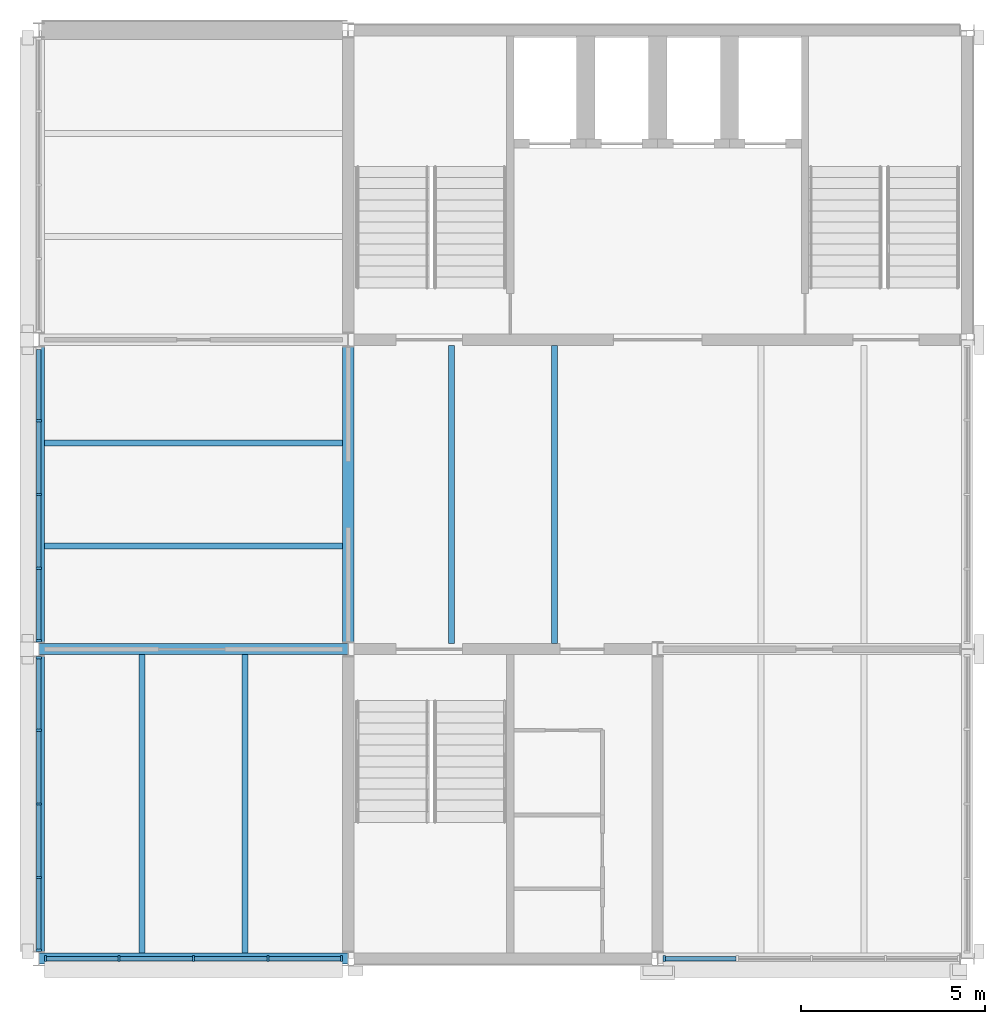
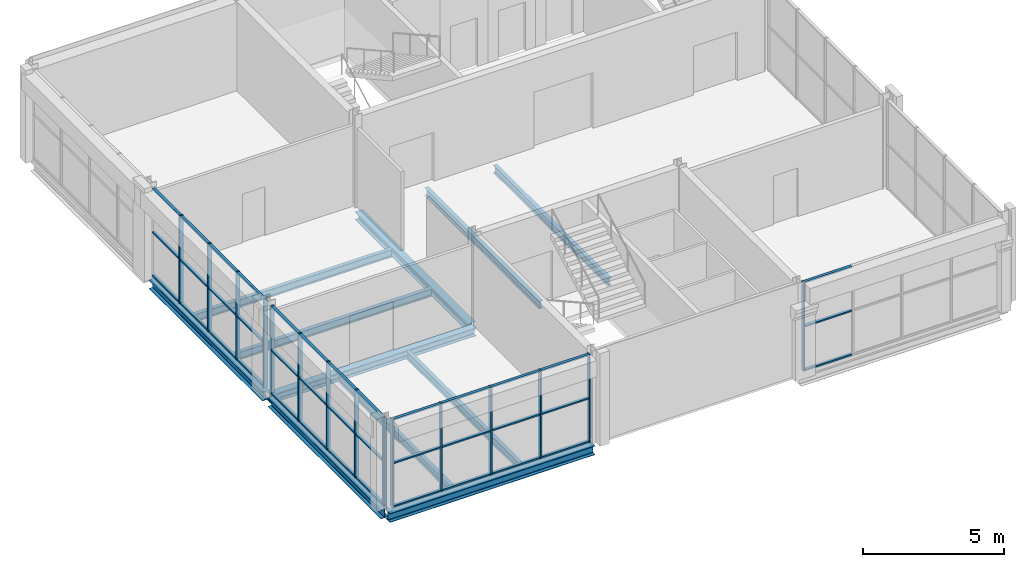
# One storey, part 2 of 8: 54 members, 11 beams, 4 elements without a shape of their own.
"""IFC4 building model written with IfcOpenShell, lengths in metres."""

from ifc_helpers import new_model, si_unit, direction, frame, origin, origin_2d, place, context, subcontext, project, spatial, rectangle, i_section, extrude, material, layer, layer_set, material_profile, profile_set, type_object, element, aggregate, save


model = new_model("IFC4")

# Units and contexts
model_context = context("Model", 3, precision=1e-05, world=origin(), true_north=direction((0.0, 1.0)))
body_context = subcontext(model_context, "Body", "Model", "MODEL_VIEW")
ifc_project = project(units=[si_unit("LENGTHUNIT", "METRE"), si_unit("AREAUNIT", "SQUARE_METRE"), si_unit("VOLUMEUNIT", "CUBIC_METRE"), si_unit("PLANEANGLEUNIT", "RADIAN"), si_unit("MASSUNIT", "GRAM", prefix="KILO")], contexts=[model_context])

# Site, building, storey
site_placement = place(None, origin())
site = spatial("IfcSite", under=ifc_project, at=site_placement, CompositionType="ELEMENT")
building_placement = place(site_placement, origin())
building = spatial("IfcBuilding", under=site, at=building_placement, Name="Galleria Vessillo Department Store", CompositionType="ELEMENT")
storey_placement = place(building_placement, frame((0.0, 0.0, 55.60009765625)))
storey = spatial("IfcBuildingStorey", under=building, at=storey_placement, Name="L12", CompositionType="ELEMENT", Elevation=55.60009765625)

# Curtain wall, members
ifc_material_1 = material(Name="Aluminium and glass curtain wall", Category="aluminium")
ifc_layer = layer(ifc_material_1, 0.159912109375)
ifc_layer_set = layer_set([ifc_layer], Name="Aluminium and glass curtain wall")
curtain_wall_type = type_object("IfcCurtainWallType", Name="Tower curtain wall CW4 2100 module", PredefinedType="NOTDEFINED", material=ifc_layer_set)
curtain_wall_1_placement = place(storey_placement, origin())
curtain_wall_1 = element("IfcCurtainWall", 1, at=curtain_wall_1_placement, inside=storey, type_object=curtain_wall_type, Name="Tower curtain wall CW4 2100 module TW-L12-01", PredefinedType="NOTDEFINED")
ifc_material_2 = material(Name="Aluminium alloy 6063 T6", Category="aluminium")
ifc_material_profile_1 = material_profile(ifc_material_2, rectangle(XDim=0.159912109375, YDim=0.06005859375, at=origin_2d()), Name="AL 60x160")
ifc_profile_set_1 = profile_set([ifc_material_profile_1], Name="Aluminium alloy 6063 T6")
member_type_1 = type_object("IfcMemberType", Name="Aluminium mullion 60 x 160", PredefinedType="MULLION", material=ifc_profile_set_1)
member_1_placement = place(storey_placement, frame((92.39990234375, 38.030029296875, 0.0), z_axis=(0.0, 0.0, 1.0), x_axis=(-1.0, 0.0, 0.0)))
member_1 = element("IfcMember", 2, at=member_1_placement, type_object=member_type_1, Name="CW4 mullion 1", PredefinedType="MULLION", context=body_context, shape_type="SweptSolid", body=[
    extrude(rectangle(XDim=0.159912109375, YDim=0.06005859375, at=origin_2d()), origin(), (0.0, 0.0, 1.0), 3.800048828125),
])
member_2_placement = place(storey_placement, frame((92.39990234375, 40.0, 0.0), z_axis=(0.0, 0.0, 1.0), x_axis=(-1.0, 0.0, 0.0)))
member_2 = element("IfcMember", 3, at=member_2_placement, type_object=member_type_1, Name="CW4 mullion 2", PredefinedType="MULLION", context=body_context, shape_type="SweptSolid", body=[
    extrude(rectangle(XDim=0.159912109375, YDim=0.06005859375, at=origin_2d()), origin(), (0.0, 0.0, 1.0), 3.800048828125),
])
member_3_placement = place(storey_placement, frame((92.39990234375, 42.0, 0.0), z_axis=(0.0, 0.0, 1.0), x_axis=(-1.0, 0.0, 0.0)))
member_3 = element("IfcMember", 4, at=member_3_placement, type_object=member_type_1, Name="CW4 mullion 3", PredefinedType="MULLION", context=body_context, shape_type="SweptSolid", body=[
    extrude(rectangle(XDim=0.159912109375, YDim=0.06005859375, at=origin_2d()), origin(), (0.0, 0.0, 1.0), 3.800048828125),
])
member_4_placement = place(storey_placement, frame((92.39990234375, 44.0, 0.0), z_axis=(0.0, 0.0, 1.0), x_axis=(-1.0, 0.0, 0.0)))
member_4 = element("IfcMember", 5, at=member_4_placement, type_object=member_type_1, Name="CW4 mullion 4", PredefinedType="MULLION", context=body_context, shape_type="SweptSolid", body=[
    extrude(rectangle(XDim=0.159912109375, YDim=0.06005859375, at=origin_2d()), origin(), (0.0, 0.0, 1.0), 3.800048828125),
])
member_5_placement = place(storey_placement, frame((92.39990234375, 45.969970703125, 0.0), z_axis=(0.0, 0.0, 1.0), x_axis=(-1.0, 0.0, 0.0)))
member_5 = element("IfcMember", 6, at=member_5_placement, type_object=member_type_1, Name="CW4 mullion 5", PredefinedType="MULLION", context=body_context, shape_type="SweptSolid", body=[
    extrude(rectangle(XDim=0.159912109375, YDim=0.06005859375, at=origin_2d()), origin(), (0.0, 0.0, 1.0), 3.800048828125),
])

curtain_wall_2_placement = place(storey_placement, origin())
curtain_wall_2 = element("IfcCurtainWall", 7, at=curtain_wall_2_placement, inside=storey, type_object=curtain_wall_type, Name="Tower curtain wall CW4 2100 module TW-L12-02", PredefinedType="NOTDEFINED")
member_6_placement = place(storey_placement, frame((92.39990234375, 46.429931640625, 0.0), z_axis=(0.0, 0.0, 1.0), x_axis=(-1.0, 0.0, 0.0)))
member_6 = element("IfcMember", 8, at=member_6_placement, type_object=member_type_1, Name="CW4 mullion 1", PredefinedType="MULLION", context=body_context, shape_type="SweptSolid", body=[
    extrude(rectangle(XDim=0.159912109375, YDim=0.06005859375, at=origin_2d()), origin(), (0.0, 0.0, 1.0), 3.800048828125),
])
member_7_placement = place(storey_placement, frame((92.39990234375, 48.39990234375, 0.0), z_axis=(0.0, 0.0, 1.0), x_axis=(-1.0, 0.0, 0.0)))
member_7 = element("IfcMember", 9, at=member_7_placement, type_object=member_type_1, Name="CW4 mullion 2", PredefinedType="MULLION", context=body_context, shape_type="SweptSolid", body=[
    extrude(rectangle(XDim=0.159912109375, YDim=0.06005859375, at=origin_2d()), origin(), (0.0, 0.0, 1.0), 3.800048828125),
])
member_8_placement = place(storey_placement, frame((92.39990234375, 50.39990234375, 0.0), z_axis=(0.0, 0.0, 1.0), x_axis=(-1.0, 0.0, 0.0)))
member_8 = element("IfcMember", 10, at=member_8_placement, type_object=member_type_1, Name="CW4 mullion 3", PredefinedType="MULLION", context=body_context, shape_type="SweptSolid", body=[
    extrude(rectangle(XDim=0.159912109375, YDim=0.06005859375, at=origin_2d()), origin(), (0.0, 0.0, 1.0), 3.800048828125),
])
member_9_placement = place(storey_placement, frame((92.39990234375, 52.400146484375, 0.0), z_axis=(0.0, 0.0, 1.0), x_axis=(-1.0, 0.0, 0.0)))
member_9 = element("IfcMember", 11, at=member_9_placement, type_object=member_type_1, Name="CW4 mullion 4", PredefinedType="MULLION", context=body_context, shape_type="SweptSolid", body=[
    extrude(rectangle(XDim=0.159912109375, YDim=0.06005859375, at=origin_2d()), origin(), (0.0, 0.0, 1.0), 3.800048828125),
])

curtain_wall_3_placement = place(storey_placement, origin())
curtain_wall_3 = element("IfcCurtainWall", 12, at=curtain_wall_3_placement, inside=storey, type_object=curtain_wall_type, Name="Tower curtain wall CW4 2100 module TS-L12-01", PredefinedType="NOTDEFINED")
member_10_placement = place(storey_placement, frame((92.579833984375, 37.800048828125, 0.0), z_axis=(0.0, 0.0, 1.0), x_axis=(0.0, 1.0, 0.0)))
member_10 = element("IfcMember", 13, at=member_10_placement, type_object=member_type_1, Name="CW4 mullion 1", PredefinedType="MULLION", context=body_context, shape_type="SweptSolid", body=[
    extrude(rectangle(XDim=0.159912109375, YDim=0.06005859375, at=origin_2d()), origin(), (0.0, 0.0, 1.0), 3.800048828125),
])
member_11_placement = place(storey_placement, frame((94.574951171875, 37.800048828125, 0.0), z_axis=(0.0, 0.0, 1.0), x_axis=(0.0, 1.0, 0.0)))
member_11 = element("IfcMember", 14, at=member_11_placement, type_object=member_type_1, Name="CW4 mullion 2", PredefinedType="MULLION", context=body_context, shape_type="SweptSolid", body=[
    extrude(rectangle(XDim=0.159912109375, YDim=0.06005859375, at=origin_2d()), origin(), (0.0, 0.0, 1.0), 3.800048828125),
])
member_12_placement = place(storey_placement, frame((96.60009765625, 37.800048828125, 0.0), z_axis=(0.0, 0.0, 1.0), x_axis=(0.0, 1.0, 0.0)))
member_12 = element("IfcMember", 15, at=member_12_placement, type_object=member_type_1, Name="CW4 mullion 3", PredefinedType="MULLION", context=body_context, shape_type="SweptSolid", body=[
    extrude(rectangle(XDim=0.159912109375, YDim=0.06005859375, at=origin_2d()), origin(), (0.0, 0.0, 1.0), 3.800048828125),
])
member_13_placement = place(storey_placement, frame((98.625, 37.800048828125, 0.0), z_axis=(0.0, 0.0, 1.0), x_axis=(0.0, 1.0, 0.0)))
member_13 = element("IfcMember", 16, at=member_13_placement, type_object=member_type_1, Name="CW4 mullion 4", PredefinedType="MULLION", context=body_context, shape_type="SweptSolid", body=[
    extrude(rectangle(XDim=0.159912109375, YDim=0.06005859375, at=origin_2d()), origin(), (0.0, 0.0, 1.0), 3.800048828125),
])
member_14_placement = place(storey_placement, frame((100.6201171875, 37.800048828125, 0.0), z_axis=(0.0, 0.0, 1.0), x_axis=(0.0, 1.0, 0.0)))
member_14 = element("IfcMember", 17, at=member_14_placement, type_object=member_type_1, Name="CW4 mullion 5", PredefinedType="MULLION", context=body_context, shape_type="SweptSolid", body=[
    extrude(rectangle(XDim=0.159912109375, YDim=0.06005859375, at=origin_2d()), origin(), (0.0, 0.0, 1.0), 3.800048828125),
])

# Curtain wall, member
curtain_wall_4_placement = place(storey_placement, origin())
curtain_wall_4 = element("IfcCurtainWall", 18, at=curtain_wall_4_placement, inside=storey, type_object=curtain_wall_type, Name="Tower curtain wall CW4 2100 module TS-L12-02", PredefinedType="NOTDEFINED")
member_15_placement = place(storey_placement, frame((109.3798828125, 37.800048828125, 0.0), z_axis=(0.0, 0.0, 1.0), x_axis=(0.0, 1.0, 0.0)))
member_15 = element("IfcMember", 19, at=member_15_placement, type_object=member_type_1, Name="CW4 mullion 1", PredefinedType="MULLION", context=body_context, shape_type="SweptSolid", body=[
    extrude(rectangle(XDim=0.159912109375, YDim=0.06005859375, at=origin_2d()), origin(), (0.0, 0.0, 1.0), 3.85009765625),
])

# Member
ifc_material_3 = material(Name="Aluminium alloy 6063 T6", Category="aluminium")
ifc_material_profile_2 = material_profile(ifc_material_3, rectangle(XDim=0.1201171875, YDim=0.06005859375, at=origin_2d()), Name="AL 60x120")
ifc_profile_set_2 = profile_set([ifc_material_profile_2], Name="Aluminium alloy 6063 T6")
member_type_2 = type_object("IfcMemberType", Name="Aluminium transom 60 x 120", PredefinedType="USERDEFINED", material=ifc_profile_set_2)
member_16_placement = place(storey_placement, frame((92.39990234375, 38.06005859375, 0.030029296875), z_axis=(0.0, 1.0, 0.0), x_axis=(-1.0, 0.0, 0.0)))
member_16 = element("IfcMember", 20, at=member_16_placement, type_object=member_type_2, Name="CW4 transom 1.1", ObjectType="TRANSOM", PredefinedType="USERDEFINED", context=body_context, shape_type="SweptSolid", body=[
    extrude(rectangle(XDim=0.1201171875, YDim=0.06005859375, at=origin_2d()), origin(), (0.0, 0.0, 1.0), 1.909912109375),
])

member_17_placement = place(storey_placement, frame((92.39990234375, 38.06005859375, 1.89990234375), z_axis=(0.0, 1.0, 0.0), x_axis=(-1.0, 0.0, 0.0)))
member_17 = element("IfcMember", 21, at=member_17_placement, type_object=member_type_2, Name="CW4 transom 1.2", ObjectType="TRANSOM", PredefinedType="USERDEFINED", context=body_context, shape_type="SweptSolid", body=[
    extrude(rectangle(XDim=0.1201171875, YDim=0.06005859375, at=origin_2d()), origin(), (0.0, 0.0, 1.0), 1.909912109375),
])

member_18_placement = place(storey_placement, frame((92.39990234375, 38.06005859375, 3.77001953125), z_axis=(0.0, 1.0, 0.0), x_axis=(-1.0, 0.0, 0.0)))
member_18 = element("IfcMember", 22, at=member_18_placement, type_object=member_type_2, Name="CW4 transom 1.3", ObjectType="TRANSOM", PredefinedType="USERDEFINED", context=body_context, shape_type="SweptSolid", body=[
    extrude(rectangle(XDim=0.1201171875, YDim=0.06005859375, at=origin_2d()), origin(), (0.0, 0.0, 1.0), 1.909912109375),
])

member_19_placement = place(storey_placement, frame((92.39990234375, 40.030029296875, 0.030029296875), z_axis=(0.0, 1.0, 0.0), x_axis=(-1.0, 0.0, 0.0)))
member_19 = element("IfcMember", 23, at=member_19_placement, type_object=member_type_2, Name="CW4 transom 2.1", ObjectType="TRANSOM", PredefinedType="USERDEFINED", context=body_context, shape_type="SweptSolid", body=[
    extrude(rectangle(XDim=0.1201171875, YDim=0.06005859375, at=origin_2d()), origin(), (0.0, 0.0, 1.0), 1.93994140625),
])

member_20_placement = place(storey_placement, frame((92.39990234375, 40.030029296875, 1.89990234375), z_axis=(0.0, 1.0, 0.0), x_axis=(-1.0, 0.0, 0.0)))
member_20 = element("IfcMember", 24, at=member_20_placement, type_object=member_type_2, Name="CW4 transom 2.2", ObjectType="TRANSOM", PredefinedType="USERDEFINED", context=body_context, shape_type="SweptSolid", body=[
    extrude(rectangle(XDim=0.1201171875, YDim=0.06005859375, at=origin_2d()), origin(), (0.0, 0.0, 1.0), 1.93994140625),
])

member_21_placement = place(storey_placement, frame((92.39990234375, 40.030029296875, 3.77001953125), z_axis=(0.0, 1.0, 0.0), x_axis=(-1.0, 0.0, 0.0)))
member_21 = element("IfcMember", 25, at=member_21_placement, type_object=member_type_2, Name="CW4 transom 2.3", ObjectType="TRANSOM", PredefinedType="USERDEFINED", context=body_context, shape_type="SweptSolid", body=[
    extrude(rectangle(XDim=0.1201171875, YDim=0.06005859375, at=origin_2d()), origin(), (0.0, 0.0, 1.0), 1.93994140625),
])

member_22_placement = place(storey_placement, frame((92.39990234375, 42.030029296875, 0.030029296875), z_axis=(0.0, 1.0, 0.0), x_axis=(-1.0, 0.0, 0.0)))
member_22 = element("IfcMember", 26, at=member_22_placement, type_object=member_type_2, Name="CW4 transom 3.1", ObjectType="TRANSOM", PredefinedType="USERDEFINED", context=body_context, shape_type="SweptSolid", body=[
    extrude(rectangle(XDim=0.1201171875, YDim=0.06005859375, at=origin_2d()), origin(), (0.0, 0.0, 1.0), 1.93994140625),
])

member_23_placement = place(storey_placement, frame((92.39990234375, 42.030029296875, 1.89990234375), z_axis=(0.0, 1.0, 0.0), x_axis=(-1.0, 0.0, 0.0)))
member_23 = element("IfcMember", 27, at=member_23_placement, type_object=member_type_2, Name="CW4 transom 3.2", ObjectType="TRANSOM", PredefinedType="USERDEFINED", context=body_context, shape_type="SweptSolid", body=[
    extrude(rectangle(XDim=0.1201171875, YDim=0.06005859375, at=origin_2d()), origin(), (0.0, 0.0, 1.0), 1.93994140625),
])

member_24_placement = place(storey_placement, frame((92.39990234375, 42.030029296875, 3.77001953125), z_axis=(0.0, 1.0, 0.0), x_axis=(-1.0, 0.0, 0.0)))
member_24 = element("IfcMember", 28, at=member_24_placement, type_object=member_type_2, Name="CW4 transom 3.3", ObjectType="TRANSOM", PredefinedType="USERDEFINED", context=body_context, shape_type="SweptSolid", body=[
    extrude(rectangle(XDim=0.1201171875, YDim=0.06005859375, at=origin_2d()), origin(), (0.0, 0.0, 1.0), 1.93994140625),
])

member_25_placement = place(storey_placement, frame((92.39990234375, 44.030029296875, 0.030029296875), z_axis=(0.0, 1.0, 0.0), x_axis=(-1.0, 0.0, 0.0)))
member_25 = element("IfcMember", 29, at=member_25_placement, type_object=member_type_2, Name="CW4 transom 4.1", ObjectType="TRANSOM", PredefinedType="USERDEFINED", context=body_context, shape_type="SweptSolid", body=[
    extrude(rectangle(XDim=0.1201171875, YDim=0.06005859375, at=origin_2d()), origin(), (0.0, 0.0, 1.0), 1.909912109375),
])

member_26_placement = place(storey_placement, frame((92.39990234375, 44.030029296875, 1.89990234375), z_axis=(0.0, 1.0, 0.0), x_axis=(-1.0, 0.0, 0.0)))
member_26 = element("IfcMember", 30, at=member_26_placement, type_object=member_type_2, Name="CW4 transom 4.2", ObjectType="TRANSOM", PredefinedType="USERDEFINED", context=body_context, shape_type="SweptSolid", body=[
    extrude(rectangle(XDim=0.1201171875, YDim=0.06005859375, at=origin_2d()), origin(), (0.0, 0.0, 1.0), 1.909912109375),
])

member_27_placement = place(storey_placement, frame((92.39990234375, 44.030029296875, 3.77001953125), z_axis=(0.0, 1.0, 0.0), x_axis=(-1.0, 0.0, 0.0)))
member_27 = element("IfcMember", 31, at=member_27_placement, type_object=member_type_2, Name="CW4 transom 4.3", ObjectType="TRANSOM", PredefinedType="USERDEFINED", context=body_context, shape_type="SweptSolid", body=[
    extrude(rectangle(XDim=0.1201171875, YDim=0.06005859375, at=origin_2d()), origin(), (0.0, 0.0, 1.0), 1.909912109375),
])

aggregate(curtain_wall_1, [member_1, member_2, member_3, member_4, member_5, member_16, member_17, member_18, member_19, member_20, member_21, member_22, member_23, member_24, member_25, member_26, member_27])

member_28_placement = place(storey_placement, frame((92.39990234375, 46.4599609375, 0.030029296875), z_axis=(0.0, 1.0, 0.0), x_axis=(-1.0, 0.0, 0.0)))
member_28 = element("IfcMember", 32, at=member_28_placement, type_object=member_type_2, Name="CW4 transom 1.1", ObjectType="TRANSOM", PredefinedType="USERDEFINED", context=body_context, shape_type="SweptSolid", body=[
    extrude(rectangle(XDim=0.1201171875, YDim=0.06005859375, at=origin_2d()), origin(), (0.0, 0.0, 1.0), 1.909912109375),
])

member_29_placement = place(storey_placement, frame((92.39990234375, 46.4599609375, 1.89990234375), z_axis=(0.0, 1.0, 0.0), x_axis=(-1.0, 0.0, 0.0)))
member_29 = element("IfcMember", 33, at=member_29_placement, type_object=member_type_2, Name="CW4 transom 1.2", ObjectType="TRANSOM", PredefinedType="USERDEFINED", context=body_context, shape_type="SweptSolid", body=[
    extrude(rectangle(XDim=0.1201171875, YDim=0.06005859375, at=origin_2d()), origin(), (0.0, 0.0, 1.0), 1.909912109375),
])

member_30_placement = place(storey_placement, frame((92.39990234375, 46.4599609375, 3.77001953125), z_axis=(0.0, 1.0, 0.0), x_axis=(-1.0, 0.0, 0.0)))
member_30 = element("IfcMember", 34, at=member_30_placement, type_object=member_type_2, Name="CW4 transom 1.3", ObjectType="TRANSOM", PredefinedType="USERDEFINED", context=body_context, shape_type="SweptSolid", body=[
    extrude(rectangle(XDim=0.1201171875, YDim=0.06005859375, at=origin_2d()), origin(), (0.0, 0.0, 1.0), 1.909912109375),
])

member_31_placement = place(storey_placement, frame((92.39990234375, 48.429931640625, 0.030029296875), z_axis=(0.0, 1.0, 0.0), x_axis=(-1.0, 0.0, 0.0)))
member_31 = element("IfcMember", 35, at=member_31_placement, type_object=member_type_2, Name="CW4 transom 2.1", ObjectType="TRANSOM", PredefinedType="USERDEFINED", context=body_context, shape_type="SweptSolid", body=[
    extrude(rectangle(XDim=0.1201171875, YDim=0.06005859375, at=origin_2d()), origin(), (0.0, 0.0, 1.0), 1.940185546875),
])

member_32_placement = place(storey_placement, frame((92.39990234375, 48.429931640625, 1.89990234375), z_axis=(0.0, 1.0, 0.0), x_axis=(-1.0, 0.0, 0.0)))
member_32 = element("IfcMember", 36, at=member_32_placement, type_object=member_type_2, Name="CW4 transom 2.2", ObjectType="TRANSOM", PredefinedType="USERDEFINED", context=body_context, shape_type="SweptSolid", body=[
    extrude(rectangle(XDim=0.1201171875, YDim=0.06005859375, at=origin_2d()), origin(), (0.0, 0.0, 1.0), 1.940185546875),
])

member_33_placement = place(storey_placement, frame((92.39990234375, 48.429931640625, 3.77001953125), z_axis=(0.0, 1.0, 0.0), x_axis=(-1.0, 0.0, 0.0)))
member_33 = element("IfcMember", 37, at=member_33_placement, type_object=member_type_2, Name="CW4 transom 2.3", ObjectType="TRANSOM", PredefinedType="USERDEFINED", context=body_context, shape_type="SweptSolid", body=[
    extrude(rectangle(XDim=0.1201171875, YDim=0.06005859375, at=origin_2d()), origin(), (0.0, 0.0, 1.0), 1.940185546875),
])

member_34_placement = place(storey_placement, frame((92.39990234375, 50.429931640625, 0.030029296875), z_axis=(0.0, 1.0, 0.0), x_axis=(-1.0, 0.0, 0.0)))
member_34 = element("IfcMember", 38, at=member_34_placement, type_object=member_type_2, Name="CW4 transom 3.1", ObjectType="TRANSOM", PredefinedType="USERDEFINED", context=body_context, shape_type="SweptSolid", body=[
    extrude(rectangle(XDim=0.1201171875, YDim=0.06005859375, at=origin_2d()), origin(), (0.0, 0.0, 1.0), 1.940185546875),
])

member_35_placement = place(storey_placement, frame((92.39990234375, 50.429931640625, 1.89990234375), z_axis=(0.0, 1.0, 0.0), x_axis=(-1.0, 0.0, 0.0)))
member_35 = element("IfcMember", 39, at=member_35_placement, type_object=member_type_2, Name="CW4 transom 3.2", ObjectType="TRANSOM", PredefinedType="USERDEFINED", context=body_context, shape_type="SweptSolid", body=[
    extrude(rectangle(XDim=0.1201171875, YDim=0.06005859375, at=origin_2d()), origin(), (0.0, 0.0, 1.0), 1.940185546875),
])

member_36_placement = place(storey_placement, frame((92.39990234375, 50.429931640625, 3.77001953125), z_axis=(0.0, 1.0, 0.0), x_axis=(-1.0, 0.0, 0.0)))
member_36 = element("IfcMember", 40, at=member_36_placement, type_object=member_type_2, Name="CW4 transom 3.3", ObjectType="TRANSOM", PredefinedType="USERDEFINED", context=body_context, shape_type="SweptSolid", body=[
    extrude(rectangle(XDim=0.1201171875, YDim=0.06005859375, at=origin_2d()), origin(), (0.0, 0.0, 1.0), 1.940185546875),
])

member_37_placement = place(storey_placement, frame((92.39990234375, 52.43017578125, 0.030029296875), z_axis=(0.0, 1.0, 0.0), x_axis=(-1.0, 0.0, 0.0)))
member_37 = element("IfcMember", 41, at=member_37_placement, type_object=member_type_2, Name="CW4 transom 4.1", ObjectType="TRANSOM", PredefinedType="USERDEFINED", context=body_context, shape_type="SweptSolid", body=[
    extrude(rectangle(XDim=0.1201171875, YDim=0.06005859375, at=origin_2d()), origin(), (0.0, 0.0, 1.0), 1.909912109375),
])

member_38_placement = place(storey_placement, frame((92.39990234375, 52.43017578125, 1.89990234375), z_axis=(0.0, 1.0, 0.0), x_axis=(-1.0, 0.0, 0.0)))
member_38 = element("IfcMember", 42, at=member_38_placement, type_object=member_type_2, Name="CW4 transom 4.2", ObjectType="TRANSOM", PredefinedType="USERDEFINED", context=body_context, shape_type="SweptSolid", body=[
    extrude(rectangle(XDim=0.1201171875, YDim=0.06005859375, at=origin_2d()), origin(), (0.0, 0.0, 1.0), 1.909912109375),
])

member_39_placement = place(storey_placement, frame((92.39990234375, 52.43017578125, 3.77001953125), z_axis=(0.0, 1.0, 0.0), x_axis=(-1.0, 0.0, 0.0)))
member_39 = element("IfcMember", 43, at=member_39_placement, type_object=member_type_2, Name="CW4 transom 4.3", ObjectType="TRANSOM", PredefinedType="USERDEFINED", context=body_context, shape_type="SweptSolid", body=[
    extrude(rectangle(XDim=0.1201171875, YDim=0.06005859375, at=origin_2d()), origin(), (0.0, 0.0, 1.0), 1.909912109375),
])

aggregate(curtain_wall_2, [member_6, member_7, member_8, member_9, member_28, member_29, member_30, member_31, member_32, member_33, member_34, member_35, member_36, member_37, member_38, member_39])

member_40_placement = place(storey_placement, frame((92.60986328125, 37.800048828125, 0.030029296875), z_axis=(1.0, 0.0, 0.0), x_axis=(0.0, 1.0, 0.0)))
member_40 = element("IfcMember", 44, at=member_40_placement, type_object=member_type_2, Name="CW4 transom 1.1", ObjectType="TRANSOM", PredefinedType="USERDEFINED", context=body_context, shape_type="SweptSolid", body=[
    extrude(rectangle(XDim=0.1201171875, YDim=0.06005859375, at=origin_2d()), origin(), (0.0, 0.0, 1.0), 1.93505859375),
])

member_41_placement = place(storey_placement, frame((92.60986328125, 37.800048828125, 1.89990234375), z_axis=(1.0, 0.0, 0.0), x_axis=(0.0, 1.0, 0.0)))
member_41 = element("IfcMember", 45, at=member_41_placement, type_object=member_type_2, Name="CW4 transom 1.2", ObjectType="TRANSOM", PredefinedType="USERDEFINED", context=body_context, shape_type="SweptSolid", body=[
    extrude(rectangle(XDim=0.1201171875, YDim=0.06005859375, at=origin_2d()), origin(), (0.0, 0.0, 1.0), 1.93505859375),
])

member_42_placement = place(storey_placement, frame((92.60986328125, 37.800048828125, 3.77001953125), z_axis=(1.0, 0.0, 0.0), x_axis=(0.0, 1.0, 0.0)))
member_42 = element("IfcMember", 46, at=member_42_placement, type_object=member_type_2, Name="CW4 transom 1.3", ObjectType="TRANSOM", PredefinedType="USERDEFINED", context=body_context, shape_type="SweptSolid", body=[
    extrude(rectangle(XDim=0.1201171875, YDim=0.06005859375, at=origin_2d()), origin(), (0.0, 0.0, 1.0), 1.93505859375),
])

member_43_placement = place(storey_placement, frame((94.60498046875, 37.800048828125, 0.030029296875), z_axis=(1.0, 0.0, 0.0), x_axis=(0.0, 1.0, 0.0)))
member_43 = element("IfcMember", 47, at=member_43_placement, type_object=member_type_2, Name="CW4 transom 2.1", ObjectType="TRANSOM", PredefinedType="USERDEFINED", context=body_context, shape_type="SweptSolid", body=[
    extrude(rectangle(XDim=0.1201171875, YDim=0.06005859375, at=origin_2d()), origin(), (0.0, 0.0, 1.0), 1.965087890625),
])

member_44_placement = place(storey_placement, frame((94.60498046875, 37.800048828125, 1.89990234375), z_axis=(1.0, 0.0, 0.0), x_axis=(0.0, 1.0, 0.0)))
member_44 = element("IfcMember", 48, at=member_44_placement, type_object=member_type_2, Name="CW4 transom 2.2", ObjectType="TRANSOM", PredefinedType="USERDEFINED", context=body_context, shape_type="SweptSolid", body=[
    extrude(rectangle(XDim=0.1201171875, YDim=0.06005859375, at=origin_2d()), origin(), (0.0, 0.0, 1.0), 1.965087890625),
])

member_45_placement = place(storey_placement, frame((94.60498046875, 37.800048828125, 3.77001953125), z_axis=(1.0, 0.0, 0.0), x_axis=(0.0, 1.0, 0.0)))
member_45 = element("IfcMember", 49, at=member_45_placement, type_object=member_type_2, Name="CW4 transom 2.3", ObjectType="TRANSOM", PredefinedType="USERDEFINED", context=body_context, shape_type="SweptSolid", body=[
    extrude(rectangle(XDim=0.1201171875, YDim=0.06005859375, at=origin_2d()), origin(), (0.0, 0.0, 1.0), 1.965087890625),
])

member_46_placement = place(storey_placement, frame((96.6298828125, 37.800048828125, 0.030029296875), z_axis=(1.0, 0.0, 0.0), x_axis=(0.0, 1.0, 0.0)))
member_46 = element("IfcMember", 50, at=member_46_placement, type_object=member_type_2, Name="CW4 transom 3.1", ObjectType="TRANSOM", PredefinedType="USERDEFINED", context=body_context, shape_type="SweptSolid", body=[
    extrude(rectangle(XDim=0.1201171875, YDim=0.06005859375, at=origin_2d()), origin(), (0.0, 0.0, 1.0), 1.965087890625),
])

member_47_placement = place(storey_placement, frame((96.6298828125, 37.800048828125, 1.89990234375), z_axis=(1.0, 0.0, 0.0), x_axis=(0.0, 1.0, 0.0)))
member_47 = element("IfcMember", 51, at=member_47_placement, type_object=member_type_2, Name="CW4 transom 3.2", ObjectType="TRANSOM", PredefinedType="USERDEFINED", context=body_context, shape_type="SweptSolid", body=[
    extrude(rectangle(XDim=0.1201171875, YDim=0.06005859375, at=origin_2d()), origin(), (0.0, 0.0, 1.0), 1.965087890625),
])

member_48_placement = place(storey_placement, frame((96.6298828125, 37.800048828125, 3.77001953125), z_axis=(1.0, 0.0, 0.0), x_axis=(0.0, 1.0, 0.0)))
member_48 = element("IfcMember", 52, at=member_48_placement, type_object=member_type_2, Name="CW4 transom 3.3", ObjectType="TRANSOM", PredefinedType="USERDEFINED", context=body_context, shape_type="SweptSolid", body=[
    extrude(rectangle(XDim=0.1201171875, YDim=0.06005859375, at=origin_2d()), origin(), (0.0, 0.0, 1.0), 1.965087890625),
])

member_49_placement = place(storey_placement, frame((98.655029296875, 37.800048828125, 0.030029296875), z_axis=(1.0, 0.0, 0.0), x_axis=(0.0, 1.0, 0.0)))
member_49 = element("IfcMember", 53, at=member_49_placement, type_object=member_type_2, Name="CW4 transom 4.1", ObjectType="TRANSOM", PredefinedType="USERDEFINED", context=body_context, shape_type="SweptSolid", body=[
    extrude(rectangle(XDim=0.1201171875, YDim=0.06005859375, at=origin_2d()), origin(), (0.0, 0.0, 1.0), 1.93505859375),
])

member_50_placement = place(storey_placement, frame((98.655029296875, 37.800048828125, 1.89990234375), z_axis=(1.0, 0.0, 0.0), x_axis=(0.0, 1.0, 0.0)))
member_50 = element("IfcMember", 54, at=member_50_placement, type_object=member_type_2, Name="CW4 transom 4.2", ObjectType="TRANSOM", PredefinedType="USERDEFINED", context=body_context, shape_type="SweptSolid", body=[
    extrude(rectangle(XDim=0.1201171875, YDim=0.06005859375, at=origin_2d()), origin(), (0.0, 0.0, 1.0), 1.93505859375),
])

member_51_placement = place(storey_placement, frame((98.655029296875, 37.800048828125, 3.77001953125), z_axis=(1.0, 0.0, 0.0), x_axis=(0.0, 1.0, 0.0)))
member_51 = element("IfcMember", 55, at=member_51_placement, type_object=member_type_2, Name="CW4 transom 4.3", ObjectType="TRANSOM", PredefinedType="USERDEFINED", context=body_context, shape_type="SweptSolid", body=[
    extrude(rectangle(XDim=0.1201171875, YDim=0.06005859375, at=origin_2d()), origin(), (0.0, 0.0, 1.0), 1.93505859375),
])

aggregate(curtain_wall_3, [member_10, member_11, member_12, member_13, member_14, member_40, member_41, member_42, member_43, member_44, member_45, member_46, member_47, member_48, member_49, member_50, member_51])

member_52_placement = place(storey_placement, frame((109.409912109375, 37.800048828125, 0.030029296875), z_axis=(1.0, 0.0, 0.0), x_axis=(0.0, 1.0, 0.0)))
member_52 = element("IfcMember", 56, at=member_52_placement, type_object=member_type_2, Name="CW4 transom 1.1", ObjectType="TRANSOM", PredefinedType="USERDEFINED", context=body_context, shape_type="SweptSolid", body=[
    extrude(rectangle(XDim=0.1201171875, YDim=0.06005859375, at=origin_2d()), origin(), (0.0, 0.0, 1.0), 1.922607421875),
])

member_53_placement = place(storey_placement, frame((109.409912109375, 37.800048828125, 1.925048828125), z_axis=(1.0, 0.0, 0.0), x_axis=(0.0, 1.0, 0.0)))
member_53 = element("IfcMember", 57, at=member_53_placement, type_object=member_type_2, Name="CW4 transom 1.2", ObjectType="TRANSOM", PredefinedType="USERDEFINED", context=body_context, shape_type="SweptSolid", body=[
    extrude(rectangle(XDim=0.1201171875, YDim=0.06005859375, at=origin_2d()), origin(), (0.0, 0.0, 1.0), 1.922607421875),
])

member_54_placement = place(storey_placement, frame((109.409912109375, 37.800048828125, 3.820068359375), z_axis=(1.0, 0.0, 0.0), x_axis=(0.0, 1.0, 0.0)))
member_54 = element("IfcMember", 58, at=member_54_placement, type_object=member_type_2, Name="CW4 transom 1.3", ObjectType="TRANSOM", PredefinedType="USERDEFINED", context=body_context, shape_type="SweptSolid", body=[
    extrude(rectangle(XDim=0.1201171875, YDim=0.06005859375, at=origin_2d()), origin(), (0.0, 0.0, 1.0), 1.922607421875),
])

aggregate(curtain_wall_4, [member_15, member_52, member_53, member_54])

# Beams
ifc_material_4 = material(Name="Steel S355 J2", Category="steel")
ifc_material_profile_3 = material_profile(ifc_material_4, i_section(OverallWidth=0.300048828125, OverallDepth=0.35009765625, WebThickness=0.010009765625, FlangeThickness=0.017578125, FilletRadius=0.027099609375, at=origin_2d()), Name="HEA 360")
ifc_profile_set_3 = profile_set([ifc_material_profile_3], Name="Steel S355 J2")
beam_type_1 = type_object("IfcBeamType", Name="Floor girder HEA 360", PredefinedType="BEAM", material=ifc_profile_set_3)
beam_1_placement = place(storey_placement, frame((92.406982421875, 46.199951171875, -0.324951171875), z_axis=(1.0, 0.0, 0.0), x_axis=(0.0, 1.0, 0.0)))
element("IfcBeam", 59, at=beam_1_placement, inside=storey, type_object=beam_type_1, Name="S-BM-L12-GI-x46200-92407", PredefinedType="BEAM", context=body_context, shape_type="SweptSolid", body=[
    extrude(i_section(OverallWidth=0.300048828125, OverallDepth=0.35009765625, WebThickness=0.010009765625, FlangeThickness=0.017578125, FilletRadius=0.027099609375, at=origin_2d()), origin(), (0.0, 0.0, 1.0), 8.38623046875),
])
beam_2_placement = place(storey_placement, frame((100.800048828125, 46.400146484375, -0.324951171875), z_axis=(0.0, 1.0, 0.0), x_axis=(-1.0, 0.0, 0.0)))
element("IfcBeam", 60, at=beam_2_placement, inside=storey, type_object=beam_type_1, Name="S-BM-L12-GI-y100800-46400", PredefinedType="BEAM", context=body_context, shape_type="SweptSolid", body=[
    extrude(i_section(OverallWidth=0.300048828125, OverallDepth=0.35009765625, WebThickness=0.010009765625, FlangeThickness=0.017578125, FilletRadius=0.027099609375, at=origin_2d()), origin(), (0.0, 0.0, 1.0), 7.999755859375),
])
ifc_material_5 = material(Name="Steel S355 J2", Category="steel")
ifc_material_profile_4 = material_profile(ifc_material_5, i_section(OverallWidth=0.159912109375, OverallDepth=0.330078125, WebThickness=0.007568359375, FlangeThickness=0.011474609375, FilletRadius=0.01806640625, at=origin_2d()), Name="IPE 330")
ifc_profile_set_4 = profile_set([ifc_material_profile_4], Name="Steel S355 J2")
beam_type_2 = type_object("IfcBeamType", Name="Floor joist IPE 330", PredefinedType="JOIST", material=ifc_profile_set_4)
for number, where, z_axis, x_axis, name in (
    (61, (95.199951171875, 37.9501953125, -0.31494140625), (0.0, 1.0, 0.0), (-1.0, 0.0, 0.0), "S-BM-L12-JO-y95200-37950"),
    (62, (98.0, 37.9501953125, -0.31494140625), (0.0, 1.0, 0.0), (-1.0, 0.0, 0.0), "S-BM-L12-JO-y98000-37950"),
):
    element("IfcBeam", number, at=place(storey_placement, frame(where, z_axis=z_axis, x_axis=x_axis)), inside=storey, type_object=beam_type_2, Name=name, PredefinedType="JOIST", context=body_context, shape_type="SweptSolid", body=[
        extrude(i_section(OverallWidth=0.159912109375, OverallDepth=0.330078125, WebThickness=0.007568359375, FlangeThickness=0.011474609375, FilletRadius=0.01806640625, at=origin_2d()), origin(), (0.0, 0.0, 1.0), 8.099609375),
    ])
for number, where, z_axis, x_axis, name in (
    (63, (92.550048828125, 49.0, -0.31494140625), (1.0, 0.0, 0.0), (0.0, 1.0, 0.0), "S-BM-L12-JO-x49000-92550"),
    (64, (92.550048828125, 51.800048828125, -0.31494140625), (1.0, 0.0, 0.0), (0.0, 1.0, 0.0), "S-BM-L12-JO-x51800-92550"),
    (65, (103.60009765625, 46.35009765625, -0.31494140625), (0.0, 1.0, 0.0), (-1.0, 0.0, 0.0), "S-BM-L12-JO-y103600-46350"),
    (66, (106.39990234375, 46.35009765625, -0.31494140625), (0.0, 1.0, 0.0), (-1.0, 0.0, 0.0), "S-BM-L12-JO-y106400-46350"),
):
    element("IfcBeam", number, at=place(storey_placement, frame(where, z_axis=z_axis, x_axis=x_axis)), inside=storey, type_object=beam_type_2, Name=name, PredefinedType="JOIST", context=body_context, shape_type="SweptSolid", body=[
        extrude(i_section(OverallWidth=0.159912109375, OverallDepth=0.330078125, WebThickness=0.007568359375, FlangeThickness=0.011474609375, FilletRadius=0.01806640625, at=origin_2d()), origin(), (0.0, 0.0, 1.0), 8.099853515625),
    ])
ifc_material_6 = material(Name="Steel S355 J2", Category="steel")
ifc_material_profile_5 = material_profile(ifc_material_6, i_section(OverallWidth=0.300048828125, OverallDepth=0.389892578125, WebThickness=0.010986328125, FlangeThickness=0.01904296875, FilletRadius=0.027099609375, at=origin_2d()), Name="HEA 400")
ifc_profile_set_5 = profile_set([ifc_material_profile_5], Name="Steel S355 J2")
beam_type_3 = type_object("IfcBeamType", Name="Trimmer beam HEA 400", PredefinedType="BEAM", material=ifc_profile_set_5)
beam_3_placement = place(storey_placement, frame((92.406982421875, 37.800048828125, -0.344970703125), z_axis=(1.0, 0.0, 0.0), x_axis=(0.0, 1.0, 0.0)))
element("IfcBeam", 67, at=beam_3_placement, inside=storey, type_object=beam_type_3, Name="S-BM-L12-TR-x37800-92407", PredefinedType="BEAM", context=body_context, shape_type="SweptSolid", body=[
    extrude(i_section(OverallWidth=0.300048828125, OverallDepth=0.389892578125, WebThickness=0.010986328125, FlangeThickness=0.01904296875, FilletRadius=0.027099609375, at=origin_2d()), origin(), (0.0, 0.0, 1.0), 8.38623046875),
])
beam_4_placement = place(storey_placement, frame((92.39990234375, 38.000244140625, -0.344970703125), z_axis=(0.0, 1.0, 0.0), x_axis=(-1.0, 0.0, 0.0)))
element("IfcBeam", 68, at=beam_4_placement, inside=storey, type_object=beam_type_3, Name="S-BM-L12-TR-y92400-38000", PredefinedType="BEAM", context=body_context, shape_type="SweptSolid", body=[
    extrude(i_section(OverallWidth=0.300048828125, OverallDepth=0.389892578125, WebThickness=0.010986328125, FlangeThickness=0.01904296875, FilletRadius=0.027099609375, at=origin_2d()), origin(), (0.0, 0.0, 1.0), 7.99951171875),
])
beam_5_placement = place(storey_placement, frame((92.39990234375, 46.400146484375, -0.344970703125), z_axis=(0.0, 1.0, 0.0), x_axis=(-1.0, 0.0, 0.0)))
element("IfcBeam", 69, at=beam_5_placement, inside=storey, type_object=beam_type_3, Name="S-BM-L12-TR-y92400-46400", PredefinedType="BEAM", context=body_context, shape_type="SweptSolid", body=[
    extrude(i_section(OverallWidth=0.300048828125, OverallDepth=0.389892578125, WebThickness=0.010986328125, FlangeThickness=0.01904296875, FilletRadius=0.027099609375, at=origin_2d()), origin(), (0.0, 0.0, 1.0), 7.999755859375),
])

save(model, "model.ifc")
